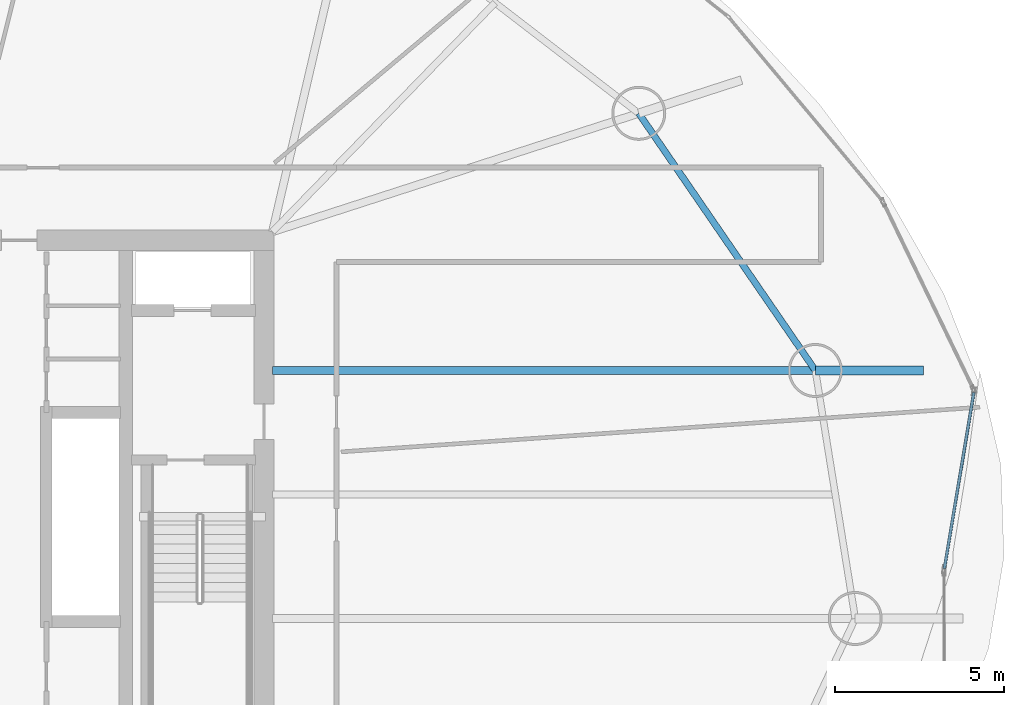
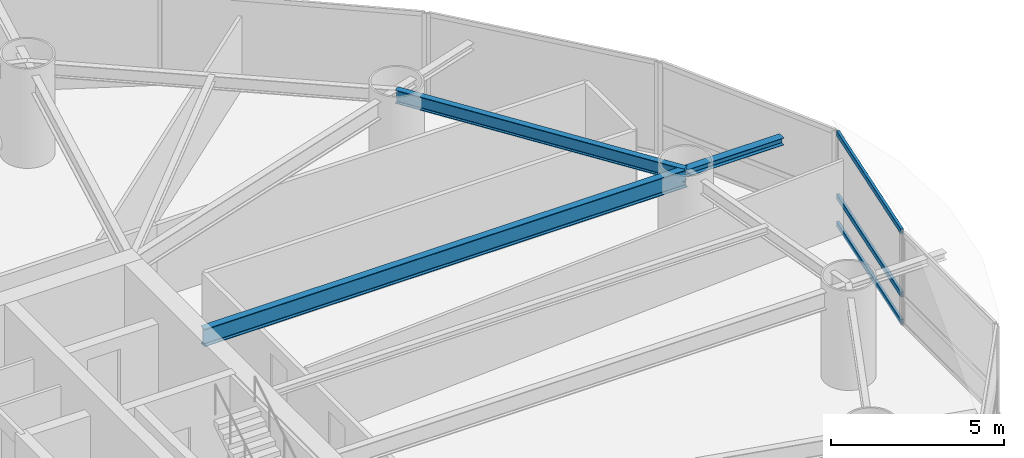
# One storey, part 11 of 25: 3 beams, 3 members, 1 element without a shape of its own.
"""IFC4 building model written with IfcOpenShell, lengths in metres."""

import ifcopenshell
import ifcopenshell.guid

model = None  # the IFC model being written
_history = None  # IfcOwnerHistory: only IFC2X3 demands one
_inside = {}  # id of a spatial element -> (the spatial element, [elements in it])
_under = {}  # id of a project, library or spatial element -> (it, [spatial elements below it])
_declared = {}  # id of a project -> (the project, [libraries it declares])
_typed = {}  # id of a type object -> (the type object, [elements of that type])
_made_of = {}  # id of a material, layer set ... -> (it, [elements and type objects made of it])


def new_model(schema):
    """Start an empty IFC model of exactly this schema.

    Asked for "IFC4X3", IfcOpenShell would pick the latest addendum, in which some entities
    have other attributes; the version numbers below select the first issue.
    IFC2X3 requires an IfcOwnerHistory on every rooted entity: one is made here for all.
    """
    global model, _history
    if schema == "IFC4X3":
        model = ifcopenshell.file(schema_version=(4, 3, 0, 0))
    else:
        model = ifcopenshell.file(schema=schema)
    _inside.clear()
    _under.clear()
    _declared.clear()
    _typed.clear()
    _made_of.clear()
    _history = None
    if model.schema == "IFC2X3":
        org = make("IfcOrganization", Name="unknown")
        user = make(
            "IfcPersonAndOrganization",
            ThePerson=make("IfcPerson", FamilyName="unknown"),
            TheOrganization=org,
        )
        app = make(
            "IfcApplication",
            ApplicationDeveloper=org,
            Version="unknown",
            ApplicationFullName="unknown",
            ApplicationIdentifier="unknown",
        )
        _history = make(
            "IfcOwnerHistory",
            OwningUser=user,
            OwningApplication=app,
            ChangeAction="ADDED",
            CreationDate=0,
        )
    return model


def make(cls, **values):
    """One entity of the class cls with the attributes given. An attribute that is None is left unset."""
    return model.create_entity(
        cls, **{name: value for name, value in values.items() if value is not None}
    )


def rooted(cls, **values):
    """An entity with a GlobalId (a new one), such as an element, a storey or a relation."""
    return make(cls, GlobalId=ifcopenshell.guid.new(), OwnerHistory=_history, **values)


def si_unit(unit_type, name, prefix=None):
    """IfcSIUnit, for example si_unit("LENGTHUNIT", "METRE", prefix="MILLI")."""
    return make("IfcSIUnit", UnitType=unit_type, Prefix=prefix, Name=name)


def assignment(units):
    """IfcUnitAssignment: the units of a project."""
    return None if units is None else make("IfcUnitAssignment", Units=units)


def point(xyz):
    """IfcCartesianPoint."""
    return None if xyz is None else make("IfcCartesianPoint", Coordinates=xyz)


def direction(xyz):
    """IfcDirection."""
    return None if xyz is None else make("IfcDirection", DirectionRatios=xyz)


def frame(location, z_axis=None, x_axis=None):
    """IfcAxis2Placement3D, a coordinate frame: its origin and axes. An axis left out is left unset."""
    return make(
        "IfcAxis2Placement3D",
        Location=point(location),
        Axis=direction(z_axis),
        RefDirection=direction(x_axis),
    )


def frame_2d(location, x_axis=None):
    """IfcAxis2Placement2D, a coordinate frame in the plane: its origin and x axis."""
    return make(
        "IfcAxis2Placement2D", Location=point(location), RefDirection=direction(x_axis)
    )


def origin():
    """The frame at (0, 0, 0) with its axes left unset."""
    return frame((0.0, 0.0, 0.0))


def origin_2d():
    """The frame at (0, 0) in the plane with its x axis left unset."""
    return frame_2d((0.0, 0.0))


def place(relative_to, where):
    """IfcLocalPlacement: puts the frame where relative to a parent placement (None: the world)."""
    return make(
        "IfcLocalPlacement", PlacementRelTo=relative_to, RelativePlacement=where
    )


def context(
    kind, dimensions, precision=None, world=None, true_north=None, identifier=None
):
    """IfcGeometricRepresentationContext, for example the 3D "Model" context."""
    return make(
        "IfcGeometricRepresentationContext",
        ContextIdentifier=identifier,
        ContextType=kind,
        CoordinateSpaceDimension=dimensions,
        Precision=precision,
        WorldCoordinateSystem=world,
        TrueNorth=true_north,
    )


def subcontext(parent, identifier, kind, view, scale=None):
    """IfcGeometricRepresentationSubContext, for example "Body" below "Model"."""
    return make(
        "IfcGeometricRepresentationSubContext",
        ContextIdentifier=identifier,
        ContextType=kind,
        ParentContext=parent,
        TargetScale=scale,
        TargetView=view,
    )


def project(units=None, contexts=None):
    """IfcProject with its units and contexts."""
    return rooted(
        "IfcProject",
        Name="project",
        RepresentationContexts=contexts,
        UnitsInContext=assignment(units),
    )


def spatial(cls, under=None, at=None, **own):
    """A site, building, storey or space (cls), placed at a placement, below another one or the project."""
    s = rooted(cls, ObjectPlacement=at, **own)
    if under is not None:
        _under.setdefault(under.id(), (under, []))[1].append(s)
    return s


def profile(cls, at=None, kind="AREA", **sizes):
    """A parametric profile (cls). Its sizes go by their IFC names, for example OverallWidth=200.0."""
    return make(cls, ProfileType=kind, Position=at, **sizes)


def hollow_rectangle(**sizes):
    """IfcRectangleHollowProfileDef."""
    return profile("IfcRectangleHollowProfileDef", **sizes)


def i_section(**sizes):
    """IfcIShapeProfileDef."""
    return profile("IfcIShapeProfileDef", **sizes)


def extrude(swept, where, along, depth):
    """IfcExtrudedAreaSolid: the profile swept, set in the frame where, extruded along a direction by depth."""
    return make(
        "IfcExtrudedAreaSolid",
        SweptArea=swept,
        Position=where,
        ExtrudedDirection=direction(along),
        Depth=depth,
    )


def shape(context_of_items, identifier, shape_type, items):
    """IfcShapeRepresentation: the items that make up one representation, for example the "Body"."""
    return make(
        "IfcShapeRepresentation",
        ContextOfItems=context_of_items,
        RepresentationIdentifier=identifier,
        RepresentationType=shape_type,
        Items=items,
    )


def material(Name=None, Category=None):
    """IfcMaterial."""
    return make("IfcMaterial", Name=Name, Category=Category)


def layer(
    of_material, thickness, ventilated=None, Name=None, Category=None, Priority=None
):
    """IfcMaterialLayer: one layer of a wall or slab, of a material (None: an air gap)."""
    return make(
        "IfcMaterialLayer",
        Material=of_material,
        LayerThickness=thickness,
        IsVentilated=ventilated,
        Name=Name,
        Category=Category,
        Priority=Priority,
    )


def layer_set(layers, Name=None):
    """IfcMaterialLayerSet."""
    return make("IfcMaterialLayerSet", MaterialLayers=layers, LayerSetName=Name)


def material_profile(
    of_material, cross_section, Name=None, Category=None, Priority=None
):
    """IfcMaterialProfile: a cross section and its material."""
    return make(
        "IfcMaterialProfile",
        Name=Name,
        Material=of_material,
        Profile=cross_section,
        Priority=Priority,
        Category=Category,
    )


def profile_set(profiles, Name=None, composite=None):
    """IfcMaterialProfileSet."""
    return make(
        "IfcMaterialProfileSet",
        Name=Name,
        MaterialProfiles=profiles,
        CompositeProfile=composite,
    )


def made_of(thing, what):
    """Note that an element or type object is made of a material, layer set ...; save() writes the relation."""
    if what is not None:
        _made_of.setdefault(what.id(), (what, []))[1].append(thing)
    return thing


def type_object(cls, material=None, **own):
    """A type object (cls), such as IfcWallType, which elements share."""
    return made_of(rooted(cls, **own), material)


def element(
    cls,
    number,
    at=None,
    inside=None,
    cuts=None,
    type_object=None,
    material=None,
    context=None,
    identifier="Body",
    shape_type=None,
    held_by="IfcProductDefinitionShape",
    body=None,
    shapes=None,
    **own,
):
    """One element of the class cls, such as IfcWall. Its Tag is "e" and its number.

    at: its placement. inside: the storey or other place that contains it. cuts: it is an
    opening in that element (IfcRelVoidsElement). A single representation is given by context,
    identifier, shape_type and body (its items); several are given by shapes. held_by: the class
    of the entity that holds the representations. save() writes the other relations.
    """
    e = rooted(cls, Tag="e%d" % number, ObjectPlacement=at, **own)
    if body is not None:
        shapes = [shape(context, identifier, shape_type, body)]
    if shapes is not None:
        e.Representation = make(held_by, Representations=shapes)
    if inside is not None:
        _inside.setdefault(inside.id(), (inside, []))[1].append(e)
    if cuts is not None:
        rooted(
            "IfcRelVoidsElement", RelatingBuildingElement=cuts, RelatedOpeningElement=e
        )
    if type_object is not None:
        _typed.setdefault(type_object.id(), (type_object, []))[1].append(e)
    return made_of(e, material)


def aggregate(whole, parts):
    """IfcRelAggregates: a whole, such as a stair, and the parts it consists of."""
    return rooted("IfcRelAggregates", RelatingObject=whole, RelatedObjects=parts)


def save(model, path):
    """Write the relations noted so far, then the file.

    IfcRelAggregates (storeys below a building ...), IfcRelContainedInSpatialStructure (elements
    in a storey), IfcRelDefinesByType, IfcRelAssociatesMaterial and IfcRelDeclares: one each for
    every whole, place, type object, material and project.
    """
    for whole, parts in _under.values():
        aggregate(whole, parts)
    for where, things in _inside.values():
        rooted(
            "IfcRelContainedInSpatialStructure",
            RelatedElements=things,
            RelatingStructure=where,
        )
    for kind, things in _typed.values():
        rooted("IfcRelDefinesByType", RelatedObjects=things, RelatingType=kind)
    for what, things in _made_of.values():
        rooted("IfcRelAssociatesMaterial", RelatedObjects=things, RelatingMaterial=what)
    for by, libraries in _declared.values():
        rooted("IfcRelDeclares", RelatingContext=by, RelatedDefinitions=libraries)
    model.write(path)


model = new_model("IFC4")

# Units and contexts
model_context = context("Model", 3, precision=1e-05, world=origin(), true_north=direction((0.0, 1.0)))
body_context = subcontext(model_context, "Body", "Model", "MODEL_VIEW")
ifc_project = project(units=[si_unit("LENGTHUNIT", "METRE"), si_unit("AREAUNIT", "SQUARE_METRE"), si_unit("VOLUMEUNIT", "CUBIC_METRE"), si_unit("PLANEANGLEUNIT", "RADIAN"), si_unit("MASSUNIT", "GRAM", prefix="KILO")], contexts=[model_context])

# Site, building, storey
site_placement = place(None, origin())
site = spatial("IfcSite", under=ifc_project, at=site_placement, CompositionType="ELEMENT")
building_placement = place(site_placement, origin())
building = spatial("IfcBuilding", under=site, at=building_placement, Name="Bramvorn Convention Spire", CompositionType="ELEMENT")
storey_placement = place(building_placement, frame((0.0, 0.0, 55.39990234375)))
storey = spatial("IfcBuildingStorey", under=building, at=storey_placement, Name="L11", CompositionType="ELEMENT", Elevation=55.39990234375)

# Beams
ifc_material_1 = material(Name="Steel CSA G40.21 Grade 350 (350W)", Category="steel")
ifc_material_profile_1 = material_profile(ifc_material_1, i_section(OverallWidth=0.25390625, OverallDepth=0.2529296875, WebThickness=0.008544921875, FlangeThickness=0.01416015625, FilletRadius=0.011962890625, at=origin_2d()))
ifc_profile_set_1 = profile_set([ifc_material_profile_1], Name="Steel CSA G40.21 Grade 350 (350W) - W250X73")
beam_type_1 = type_object("IfcBeamType", Name="BM-W250X73", PredefinedType="BEAM", material=ifc_profile_set_1)
beam_1_placement = place(storey_placement, frame((65.338623046875, 29.340087890625, 3.12353515625), z_axis=(1.0, 0.0, 0.0), x_axis=(0.0, 1.0, 0.0)))
element("IfcBeam", 1, at=beam_1_placement, inside=storey, type_object=beam_type_1, Name="L11 slab-edge cantilever tip beam MC02", PredefinedType="BEAM", context=body_context, shape_type="SweptSolid", body=[
    extrude(i_section(OverallWidth=0.25390625, OverallDepth=0.2529296875, WebThickness=0.008544921875, FlangeThickness=0.01416015625, FilletRadius=0.011962890625, at=origin_2d()), origin(), (0.0, 0.0, 1.0), 3.199951171875),
])
ifc_material_profile_2 = material_profile(ifc_material_1, i_section(OverallWidth=0.194091796875, OverallDepth=0.468994140625, WebThickness=0.0126953125, FlangeThickness=0.0205078125, FilletRadius=0.01806640625, at=origin_2d()))
ifc_profile_set_2 = profile_set([ifc_material_profile_2], Name="Steel CSA G40.21 Grade 350 (350W) - W460X106")
beam_type_2 = type_object("IfcBeamType", Name="BM-W460X106", PredefinedType="SPANDREL", material=ifc_profile_set_2)
beam_2_placement = place(storey_placement, frame((65.338623046875, 29.340087890625, 3.015625), z_axis=(-0.566129730789, 0.824316157743, 0.0), x_axis=(-0.824316157743, -0.566129730789, 0.0)))
element("IfcBeam", 2, at=beam_2_placement, inside=storey, type_object=beam_type_2, Name="L11 mega-column ring beam 02", PredefinedType="SPANDREL", context=body_context, shape_type="SweptSolid", body=[
    extrude(i_section(OverallWidth=0.194091796875, OverallDepth=0.468994140625, WebThickness=0.0126953125, FlangeThickness=0.0205078125, FilletRadius=0.01806640625, at=origin_2d()), origin(), (0.0, 0.0, 1.0), 9.244140625),
])
ifc_material_profile_3 = material_profile(ifc_material_1, i_section(OverallWidth=0.22998046875, OverallDepth=0.616943359375, WebThickness=0.01318359375, FlangeThickness=0.022216796875, FilletRadius=0.02001953125, at=origin_2d()))
ifc_profile_set_3 = profile_set([ifc_material_profile_3], Name="Steel CSA G40.21 Grade 350 (350W) - W610X140")
beam_type_3 = type_object("IfcBeamType", Name="BM-W610X140", PredefinedType="BEAM", material=ifc_profile_set_3)
beam_3_placement = place(storey_placement, frame((49.25, 29.340087890625, 2.941650390625), z_axis=(1.0, 0.0, 0.0), x_axis=(0.0, 1.0, 0.0)))
element("IfcBeam", 3, at=beam_3_placement, inside=storey, type_object=beam_type_3, Name="L11 radial floor girder MC02", PredefinedType="BEAM", context=body_context, shape_type="SweptSolid", body=[
    extrude(i_section(OverallWidth=0.22998046875, OverallDepth=0.616943359375, WebThickness=0.01318359375, FlangeThickness=0.022216796875, FilletRadius=0.02001953125, at=origin_2d()), origin(), (0.0, 0.0, 1.0), 16.088623046875),
])

# Curtain wall, members
ifc_material_2 = material(Name="Anodised Bronze Unitised Curtain Wall", Category="aluminium")
ifc_layer = layer(ifc_material_2, 0.219970703125)
ifc_layer_set = layer_set([ifc_layer], Name="Anodised Bronze Unitised Curtain Wall - CW-SKYGARDEN")
curtain_wall_type = type_object("IfcCurtainWallType", Name="CW-SKYGARDEN", PredefinedType="USERDEFINED", material=ifc_layer_set)
curtain_wall_placement = place(storey_placement, origin())
curtain_wall = element("IfcCurtainWall", 4, at=curtain_wall_placement, inside=storey, type_object=curtain_wall_type, Name="L11 Sky Garden glazed facade 01", ObjectType="WINTER GARDEN GLAZING", PredefinedType="USERDEFINED")
ifc_material_3 = material(Name="Anodised Bronze Aluminium 6063-T6", Category="aluminium")
ifc_material_profile_4 = material_profile(ifc_material_3, hollow_rectangle(XDim=0.090087890625, YDim=0.179931640625, WallThickness=0.00439453125, InnerFilletRadius=0.0009765625, OuterFilletRadius=0.00439453125, at=origin_2d()))
ifc_profile_set_4 = profile_set([ifc_material_profile_4], Name="Anodised Bronze Aluminium 6063-T6 - CWT90X180")
member_type = type_object("IfcMemberType", Name="CW-TRN-180", PredefinedType="USERDEFINED", material=ifc_profile_set_4)
member_1_placement = place(storey_placement, frame((70.03173828125, 28.68798828125, 0.030029296875), z_axis=(-0.164638494737, -0.98635397604, 0.0), x_axis=(0.98635397604, -0.164638494737, 0.0)))
member_1 = element("IfcMember", 5, at=member_1_placement, type_object=member_type, Name="CW4 transom 1.1", ObjectType="TRANSOM", PredefinedType="USERDEFINED", context=body_context, shape_type="SweptSolid", body=[
    extrude(hollow_rectangle(XDim=0.090087890625, YDim=0.179931640625, WallThickness=0.00439453125, InnerFilletRadius=0.0009765625, OuterFilletRadius=0.00439453125, at=origin_2d()), origin(), (0.0, 0.0, 1.0), 5.28955078125),
])
member_2_placement = place(storey_placement, frame((70.03173828125, 28.68798828125, 1.0), z_axis=(-0.164638494737, -0.98635397604, 0.0), x_axis=(0.98635397604, -0.164638494737, 0.0)))
member_2 = element("IfcMember", 6, at=member_2_placement, type_object=member_type, Name="CW4 transom 1.2", ObjectType="TRANSOM", PredefinedType="USERDEFINED", context=body_context, shape_type="SweptSolid", body=[
    extrude(hollow_rectangle(XDim=0.090087890625, YDim=0.179931640625, WallThickness=0.00439453125, InnerFilletRadius=0.0009765625, OuterFilletRadius=0.00439453125, at=origin_2d()), origin(), (0.0, 0.0, 1.0), 5.28955078125),
])
member_3_placement = place(storey_placement, frame((70.03173828125, 28.68798828125, 3.22021484375), z_axis=(-0.164638494737, -0.98635397604, 0.0), x_axis=(0.98635397604, -0.164638494737, 0.0)))
member_3 = element("IfcMember", 7, at=member_3_placement, type_object=member_type, Name="CW4 transom 1.3", ObjectType="TRANSOM", PredefinedType="USERDEFINED", context=body_context, shape_type="SweptSolid", body=[
    extrude(hollow_rectangle(XDim=0.090087890625, YDim=0.179931640625, WallThickness=0.00439453125, InnerFilletRadius=0.0009765625, OuterFilletRadius=0.00439453125, at=origin_2d()), origin(), (0.0, 0.0, 1.0), 5.28955078125),
])
aggregate(curtain_wall, [member_1, member_2, member_3])

save(model, "model.ifc")
